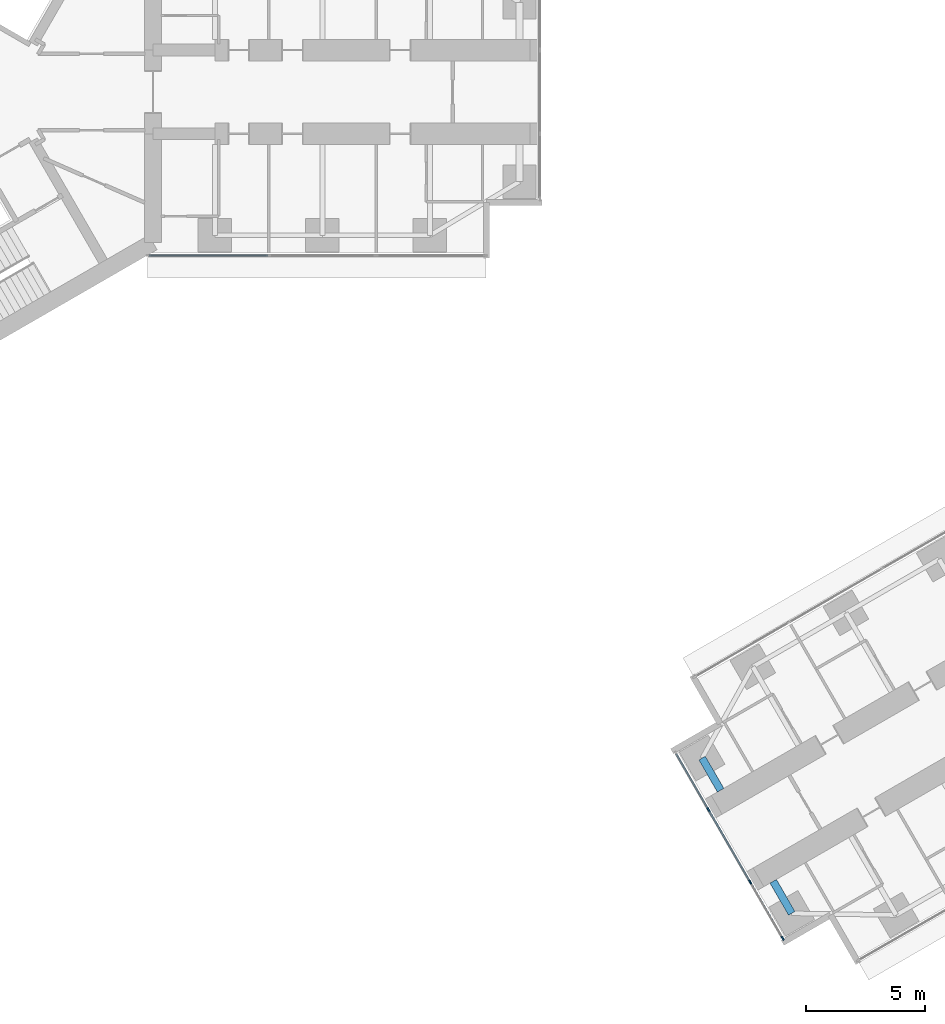
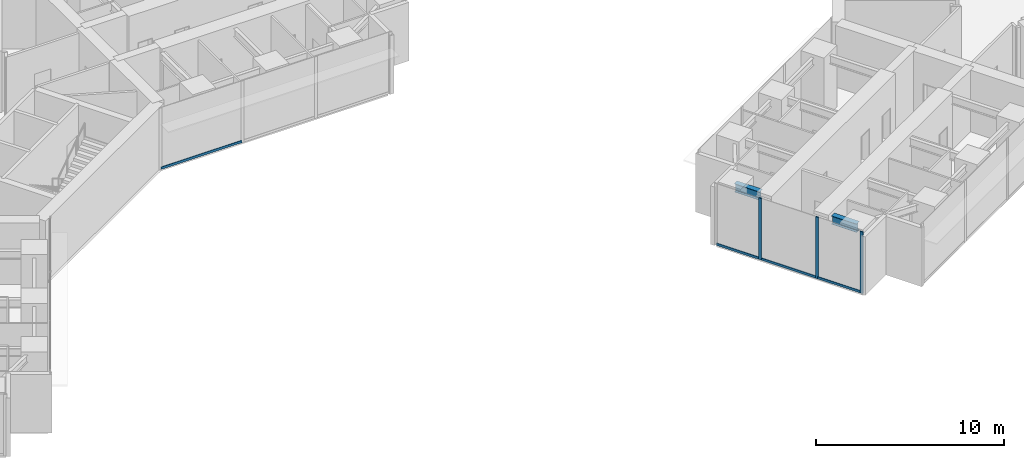
# One storey, part 3 of 25: 7 members, 2 beams, 2 elements without a shape of their own.
"""IFC4 building model written with IfcOpenShell, lengths in metres."""

from ifc_helpers import new_model, si_unit, direction, frame, origin, origin_2d, place, context, subcontext, project, spatial, rectangle, i_section, extrude, material, material_profile, profile_set, type_object, element, aggregate, save


model = new_model("IFC4")

# Units and contexts
model_context = context("Model", 3, precision=1e-05, world=origin(), true_north=direction((0.0, 1.0)))
body_context = subcontext(model_context, "Body", "Model", "MODEL_VIEW")
ifc_project = project(units=[si_unit("LENGTHUNIT", "METRE"), si_unit("AREAUNIT", "SQUARE_METRE"), si_unit("VOLUMEUNIT", "CUBIC_METRE"), si_unit("PLANEANGLEUNIT", "RADIAN"), si_unit("MASSUNIT", "GRAM", prefix="KILO")], contexts=[model_context])

# Site, building, storey
site_placement = place(None, origin())
site = spatial("IfcSite", under=ifc_project, at=site_placement, CompositionType="ELEMENT")
building_placement = place(site_placement, origin())
building = spatial("IfcBuilding", under=site, at=building_placement, Name="Upepo Twin Towers", CompositionType="ELEMENT")
storey_placement = place(building_placement, frame((0.0, 0.0, 72.5)))
storey = spatial("IfcBuildingStorey", under=building, at=storey_placement, Name="L17", CompositionType="ELEMENT", Elevation=72.5)

# Beams
ifc_material_1 = material(Name="Steel S355", Category="steel")
ifc_material_profile_1 = material_profile(ifc_material_1, i_section(OverallWidth=0.31201171875, OverallDepth=0.54345703125, WebThickness=0.0126953125, FlangeThickness=0.020263671875, FilletRadius=0.0126953125, at=origin_2d()), Name="UB 533x312x150")
ifc_profile_set_1 = profile_set([ifc_material_profile_1], Name="Steel S355")
beam_type = type_object("IfcBeamType", Name="Beam UB 533x312x150", PredefinedType="BEAM", material=ifc_profile_set_1)
for number, where, z_axis, x_axis, name in (
    (1, (37.641845703125, -34.37255859375, 3.5283203125), (-0.499967891604, 0.866043940782, 0.0), (-0.866043940782, -0.499967891604, 0.0), "T2 nose beam BL"),
    (2, (33.891845703125, -27.87744140625, 3.5283203125), (0.499967891604, -0.866043940782, 0.0), (0.866043940782, 0.499967891604, 0.0), "T2 nose beam BR"),
):
    element("IfcBeam", number, at=place(storey_placement, frame(where, z_axis=z_axis, x_axis=x_axis)), inside=storey, type_object=beam_type, Name=name, PredefinedType="BEAM", context=body_context, shape_type="SweptSolid", body=[
        extrude(i_section(OverallWidth=0.31201171875, OverallDepth=0.54345703125, WebThickness=0.0126953125, FlangeThickness=0.020263671875, FilletRadius=0.0126953125, at=origin_2d()), origin(), (0.0, 0.0, 1.0), 1.5498046875),
    ])

# Curtain wall, members
ifc_material_2 = material(Name="Aluminium and fritted glass", Category="aluminium")
curtain_wall_type = type_object("IfcCurtainWallType", Name="Tower curtain wall TW1, fritted glass", PredefinedType="NOTDEFINED", material=ifc_material_2)
curtain_wall_1_placement = place(storey_placement, origin())
curtain_wall_1 = element("IfcCurtainWall", 3, at=curtain_wall_1_placement, inside=storey, type_object=curtain_wall_type, Name="T2 L17 wing B nose curtain wall", PredefinedType="NOTDEFINED")
ifc_material_3 = material(Name="Aluminium mullion", Category="aluminium")
ifc_material_profile_2 = material_profile(ifc_material_3, rectangle(XDim=0.06494140625, YDim=0.179931640625, at=origin_2d()), Name="MULLION 65x180")
ifc_profile_set_2 = profile_set([ifc_material_profile_2], Name="Aluminium mullion")
member_type_1 = type_object("IfcMemberType", Name="Mullion 65x180 TW1", PredefinedType="MULLION", material=ifc_profile_set_2)
member_1_placement = place(storey_placement, frame((34.15576171875, -30.034423828125, 0.0), z_axis=(0.0, 0.0, 1.0), x_axis=(0.866025386174, 0.500000030502, 0.0)))
member_1 = element("IfcMember", 4, at=member_1_placement, type_object=member_type_1, Name="T2 L17 wing B nose curtain wall mullion 2", PredefinedType="MULLION", context=body_context, shape_type="SweptSolid", body=[
    extrude(rectangle(XDim=0.06494140625, YDim=0.179931640625, at=origin_2d()), origin(), (0.0, 0.0, 1.0), 4.0),
])
member_2_placement = place(storey_placement, frame((35.90576171875, -33.0654296875, 0.0), z_axis=(0.0, 0.0, 1.0), x_axis=(0.866025386174, 0.500000030502, 0.0)))
member_2 = element("IfcMember", 5, at=member_2_placement, type_object=member_type_1, Name="T2 L17 wing B nose curtain wall mullion 3", PredefinedType="MULLION", context=body_context, shape_type="SweptSolid", body=[
    extrude(rectangle(XDim=0.06494140625, YDim=0.179931640625, at=origin_2d()), origin(), (0.0, 0.0, 1.0), 4.0),
])
member_3_placement = place(storey_placement, frame((37.264404296875, -35.4189453125, 0.0), z_axis=(0.0, 0.0, 1.0), x_axis=(0.866025386174, 0.500000030502, 0.0)))
member_3 = element("IfcMember", 6, at=member_3_placement, type_object=member_type_1, Name="T2 L17 wing B nose curtain wall mullion 4", PredefinedType="MULLION", context=body_context, shape_type="SweptSolid", body=[
    extrude(rectangle(XDim=0.06494140625, YDim=0.179931640625, at=origin_2d()), origin(), (0.0, 0.0, 1.0), 4.0),
])

# Curtain wall, member
curtain_wall_2_placement = place(storey_placement, origin())
curtain_wall_2 = element("IfcCurtainWall", 7, at=curtain_wall_2_placement, inside=storey, type_object=curtain_wall_type, Name="T1 L17 wing A flank R curtain wall", PredefinedType="NOTDEFINED")
ifc_material_4 = material(Name="Aluminium transom", Category="aluminium")
ifc_material_profile_3 = material_profile(ifc_material_4, rectangle(XDim=0.06494140625, YDim=0.14990234375, at=origin_2d()), Name="TRANSOM 65x150")
ifc_profile_set_3 = profile_set([ifc_material_profile_3], Name="Aluminium transom")
member_type_2 = type_object("IfcMemberType", Name="Transom 65x150 TW1", PredefinedType="USERDEFINED", material=ifc_profile_set_3)
member_4_placement = place(storey_placement, frame((15.717529296875, -6.85009765625, 0.074951171875), z_axis=(-1.0, 0.0, 0.0), x_axis=(0.0, -1.0, 0.0)))
member_4 = element("IfcMember", 8, at=member_4_placement, type_object=member_type_2, Name="T1 L17 wing A flank R curtain wall transom 3", ObjectType="TRANSOM", PredefinedType="USERDEFINED", context=body_context, shape_type="SweptSolid", body=[
    extrude(rectangle(XDim=0.06494140625, YDim=0.14990234375, at=origin_2d()), origin(), (0.0, 0.0, 1.0), 4.96533203125),
])
aggregate(curtain_wall_2, [member_4])

# Member
member_5_placement = place(storey_placement, frame((32.813232421875, -27.709228515625, 0.074951171875), z_axis=(0.499980071345, -0.866036909293, 0.0), x_axis=(0.866036909293, 0.499980071345, 0.0)))
member_5 = element("IfcMember", 9, at=member_5_placement, type_object=member_type_2, Name="T2 L17 wing B nose curtain wall transom 1", ObjectType="TRANSOM", PredefinedType="USERDEFINED", context=body_context, shape_type="SweptSolid", body=[
    extrude(rectangle(XDim=0.06494140625, YDim=0.14990234375, at=origin_2d()), origin(), (0.0, 0.0, 1.0), 2.65234375),
])

member_6_placement = place(storey_placement, frame((34.171875, -30.0625, 0.074951171875), z_axis=(0.499999305434, -0.866025804792, 0.0), x_axis=(0.866025804792, 0.499999305434, 0.0)))
member_6 = element("IfcMember", 10, at=member_6_placement, type_object=member_type_2, Name="T2 L17 wing B nose curtain wall transom 2", ObjectType="TRANSOM", PredefinedType="USERDEFINED", context=body_context, shape_type="SweptSolid", body=[
    extrude(rectangle(XDim=0.06494140625, YDim=0.14990234375, at=origin_2d()), origin(), (0.0, 0.0, 1.0), 3.43505859375),
])

member_7_placement = place(storey_placement, frame((35.921875, -33.09375, 0.074951171875), z_axis=(0.500049101008, -0.865997053448, 0.0), x_axis=(0.865997053448, 0.500049101008, 0.0)))
member_7 = element("IfcMember", 11, at=member_7_placement, type_object=member_type_2, Name="T2 L17 wing B nose curtain wall transom 3", ObjectType="TRANSOM", PredefinedType="USERDEFINED", context=body_context, shape_type="SweptSolid", body=[
    extrude(rectangle(XDim=0.06494140625, YDim=0.14990234375, at=origin_2d()), origin(), (0.0, 0.0, 1.0), 2.652587890625),
])

aggregate(curtain_wall_1, [member_1, member_2, member_3, member_5, member_6, member_7])

save(model, "model.ifc")
